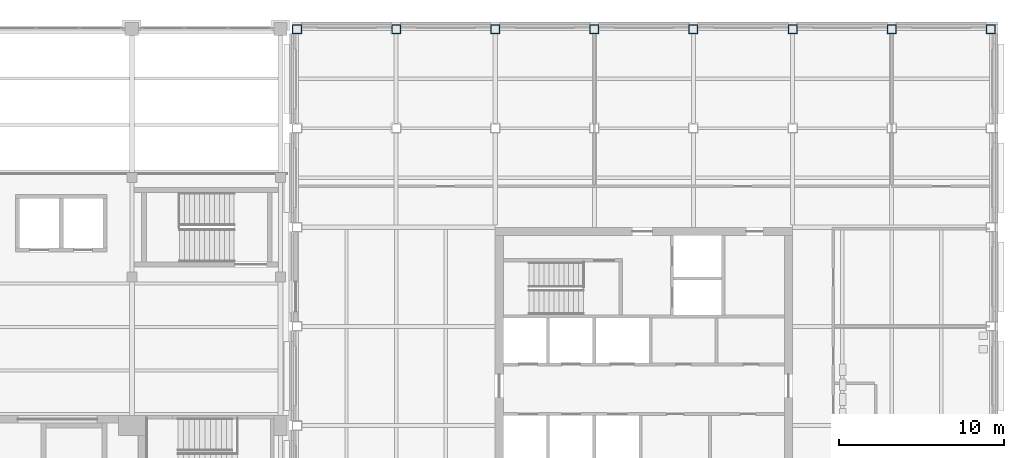
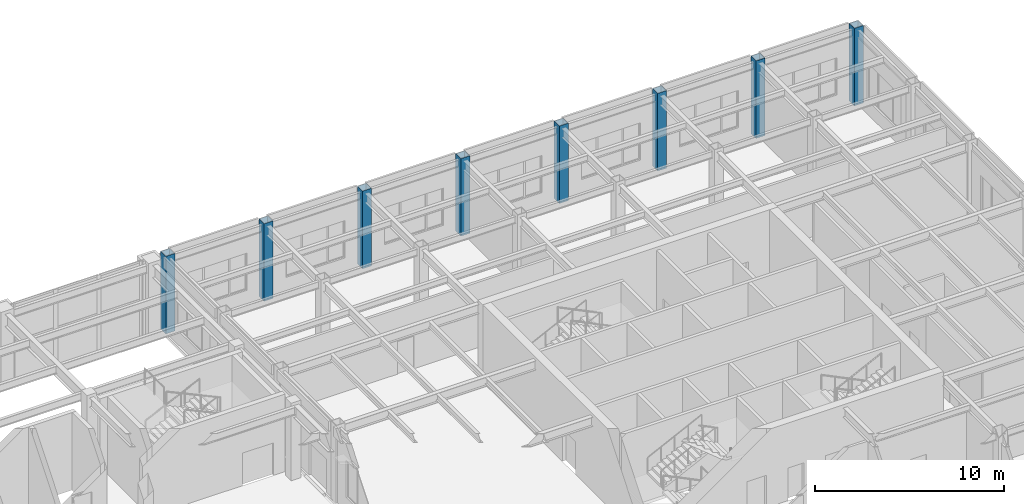
# One storey, part 6 of 76: 8 columns.
"""IFC4 building model written with IfcOpenShell, lengths in metres."""

from ifc_helpers import new_model, si_unit, direction, frame, origin, origin_2d, place, context, subcontext, project, spatial, hollow_rectangle, extrude, material, material_profile, profile_set, type_object, element, save


model = new_model("IFC4")

# Units and contexts
model_context = context("Model", 3, precision=1e-05, world=origin(), true_north=direction((0.0, 1.0)))
body_context = subcontext(model_context, "Body", "Model", "MODEL_VIEW")
ifc_project = project(units=[si_unit("LENGTHUNIT", "METRE"), si_unit("AREAUNIT", "SQUARE_METRE"), si_unit("VOLUMEUNIT", "CUBIC_METRE"), si_unit("PLANEANGLEUNIT", "RADIAN"), si_unit("MASSUNIT", "GRAM", prefix="KILO")], contexts=[model_context])

# Site, building, storey
site_placement = place(None, origin())
site = spatial("IfcSite", under=ifc_project, at=site_placement, CompositionType="ELEMENT")
building_placement = place(site_placement, origin())
building = spatial("IfcBuilding", under=site, at=building_placement, Name="Aravalli Gate Trade Fair Centre", CompositionType="ELEMENT")
storey_placement = place(building_placement, frame((0.0, 0.0, 10.0)))
storey = spatial("IfcBuildingStorey", under=building, at=storey_placement, Name="L02", CompositionType="ELEMENT", Elevation=10.0)

# Columns
ifc_material = material(Name="Steel E350", Category="steel")
ifc_material_profile = material_profile(ifc_material, hollow_rectangle(XDim=0.550048828125, YDim=0.550048828125, WallThickness=0.031982421875, at=origin_2d()), Name="BOX 550x550x32")
ifc_profile_set = profile_set([ifc_material_profile], Name="Steel E350")
column_type = type_object("IfcColumnType", Name="Wing box column 550 x 550 x 32", PredefinedType="COLUMN", material=ifc_profile_set)
for number, where, z_axis, x_axis, name in (
    (1, (160.0, 133.0, 0.0), (0.0, 0.0, 1.0), (1.0, 0.0, 0.0), "Wing column 18/K L02"),
    (2, (166.0, 133.0, 0.0), (0.0, 0.0, 1.0), (1.0, 0.0, 0.0), "Wing column 19/K L02"),
    (3, (172.0, 133.0, 0.0), (0.0, 0.0, 1.0), (1.0, 0.0, 0.0), "Wing column 20/K L02"),
    (4, (178.0, 133.0, 0.0), (0.0, 0.0, 1.0), (1.0, 0.0, 0.0), "Wing column 21/K L02"),
    (5, (184.0, 133.0, 0.0), (0.0, 0.0, 1.0), (1.0, 0.0, 0.0), "Wing column 22/K L02"),
    (6, (190.0, 133.0, 0.0), (0.0, 0.0, 1.0), (1.0, 0.0, 0.0), "Wing column 23/K L02"),
    (7, (196.0, 133.0, 0.0), (0.0, 0.0, 1.0), (1.0, 0.0, 0.0), "Wing column 24/K L02"),
    (8, (202.0, 133.0, 0.0), (0.0, 0.0, 1.0), (1.0, 0.0, 0.0), "Wing column 25/K L02"),
):
    element("IfcColumn", number, at=place(storey_placement, frame(where, z_axis=z_axis, x_axis=x_axis)), inside=storey, type_object=column_type, Name=name, PredefinedType="COLUMN", context=body_context, shape_type="SweptSolid", body=[
        extrude(hollow_rectangle(XDim=0.550048828125, YDim=0.550048828125, WallThickness=0.031982421875, at=origin_2d()), origin(), (0.0, 0.0, 1.0), 5.0),
    ])

save(model, "model.ifc")
